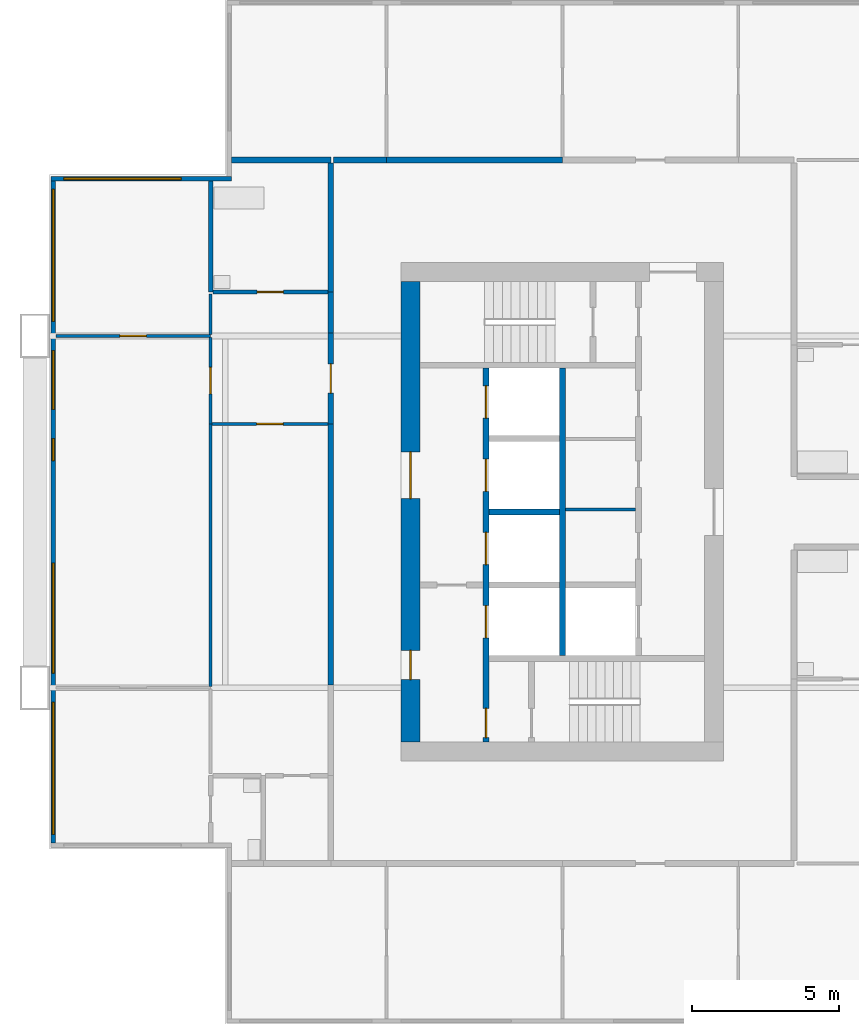
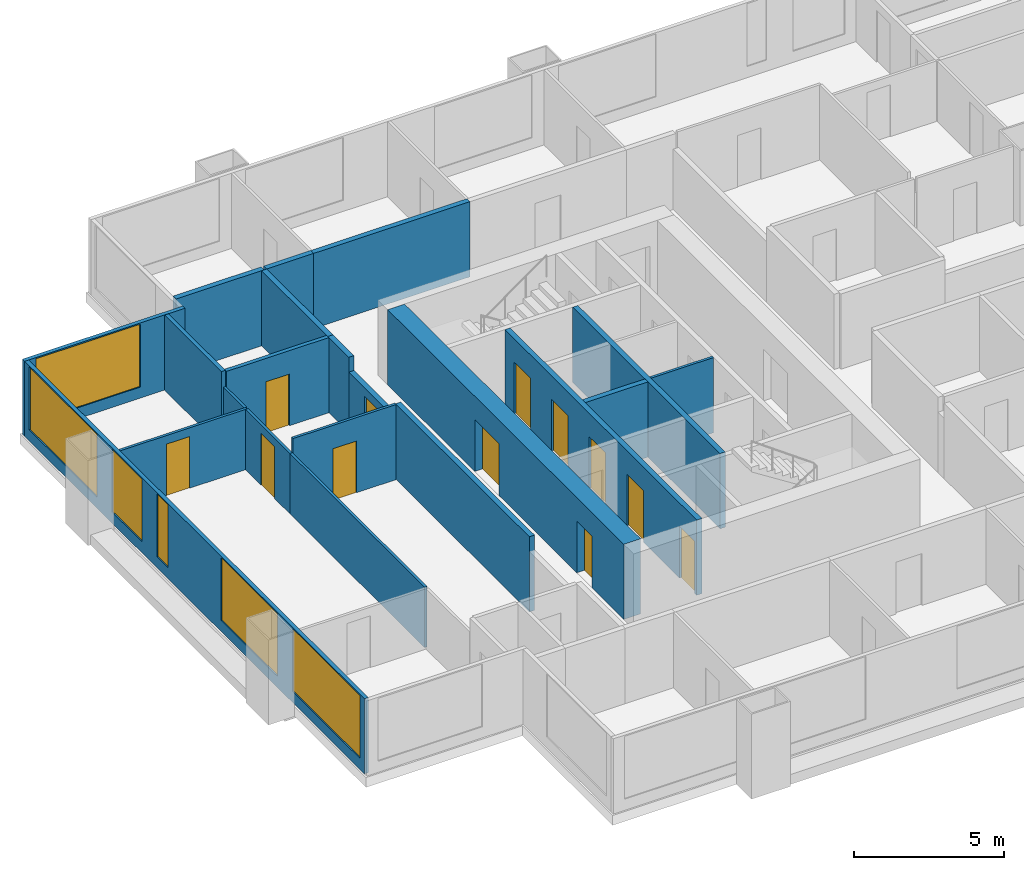
# One storey, part 3 of 11: 21 walls, 12 doors, 6 windows, 18 openings.
"""IFC4 building model written with IfcOpenShell, lengths in metres."""

import ifcopenshell
import ifcopenshell.guid

model = None  # the IFC model being written
_history = None  # IfcOwnerHistory: only IFC2X3 demands one
_inside = {}  # id of a spatial element -> (the spatial element, [elements in it])
_under = {}  # id of a project, library or spatial element -> (it, [spatial elements below it])
_declared = {}  # id of a project -> (the project, [libraries it declares])
_typed = {}  # id of a type object -> (the type object, [elements of that type])
_made_of = {}  # id of a material, layer set ... -> (it, [elements and type objects made of it])


def new_model(schema):
    """Start an empty IFC model of exactly this schema.

    Asked for "IFC4X3", IfcOpenShell would pick the latest addendum, in which some entities
    have other attributes; the version numbers below select the first issue.
    IFC2X3 requires an IfcOwnerHistory on every rooted entity: one is made here for all.
    """
    global model, _history
    if schema == "IFC4X3":
        model = ifcopenshell.file(schema_version=(4, 3, 0, 0))
    else:
        model = ifcopenshell.file(schema=schema)
    _inside.clear()
    _under.clear()
    _declared.clear()
    _typed.clear()
    _made_of.clear()
    _history = None
    if model.schema == "IFC2X3":
        org = make("IfcOrganization", Name="unknown")
        user = make(
            "IfcPersonAndOrganization",
            ThePerson=make("IfcPerson", FamilyName="unknown"),
            TheOrganization=org,
        )
        app = make(
            "IfcApplication",
            ApplicationDeveloper=org,
            Version="unknown",
            ApplicationFullName="unknown",
            ApplicationIdentifier="unknown",
        )
        _history = make(
            "IfcOwnerHistory",
            OwningUser=user,
            OwningApplication=app,
            ChangeAction="ADDED",
            CreationDate=0,
        )
    return model


def make(cls, **values):
    """One entity of the class cls with the attributes given. An attribute that is None is left unset."""
    return model.create_entity(
        cls, **{name: value for name, value in values.items() if value is not None}
    )


def rooted(cls, **values):
    """An entity with a GlobalId (a new one), such as an element, a storey or a relation."""
    return make(cls, GlobalId=ifcopenshell.guid.new(), OwnerHistory=_history, **values)


def si_unit(unit_type, name, prefix=None):
    """IfcSIUnit, for example si_unit("LENGTHUNIT", "METRE", prefix="MILLI")."""
    return make("IfcSIUnit", UnitType=unit_type, Prefix=prefix, Name=name)


def assignment(units):
    """IfcUnitAssignment: the units of a project."""
    return None if units is None else make("IfcUnitAssignment", Units=units)


def point(xyz):
    """IfcCartesianPoint."""
    return None if xyz is None else make("IfcCartesianPoint", Coordinates=xyz)


def direction(xyz):
    """IfcDirection."""
    return None if xyz is None else make("IfcDirection", DirectionRatios=xyz)


def frame(location, z_axis=None, x_axis=None):
    """IfcAxis2Placement3D, a coordinate frame: its origin and axes. An axis left out is left unset."""
    return make(
        "IfcAxis2Placement3D",
        Location=point(location),
        Axis=direction(z_axis),
        RefDirection=direction(x_axis),
    )


def frame_2d(location, x_axis=None):
    """IfcAxis2Placement2D, a coordinate frame in the plane: its origin and x axis."""
    return make(
        "IfcAxis2Placement2D", Location=point(location), RefDirection=direction(x_axis)
    )


def origin():
    """The frame at (0, 0, 0) with its axes left unset."""
    return frame((0.0, 0.0, 0.0))


def place(relative_to, where):
    """IfcLocalPlacement: puts the frame where relative to a parent placement (None: the world)."""
    return make(
        "IfcLocalPlacement", PlacementRelTo=relative_to, RelativePlacement=where
    )


def context(
    kind, dimensions, precision=None, world=None, true_north=None, identifier=None
):
    """IfcGeometricRepresentationContext, for example the 3D "Model" context."""
    return make(
        "IfcGeometricRepresentationContext",
        ContextIdentifier=identifier,
        ContextType=kind,
        CoordinateSpaceDimension=dimensions,
        Precision=precision,
        WorldCoordinateSystem=world,
        TrueNorth=true_north,
    )


def subcontext(parent, identifier, kind, view, scale=None):
    """IfcGeometricRepresentationSubContext, for example "Body" below "Model"."""
    return make(
        "IfcGeometricRepresentationSubContext",
        ContextIdentifier=identifier,
        ContextType=kind,
        ParentContext=parent,
        TargetScale=scale,
        TargetView=view,
    )


def project(units=None, contexts=None):
    """IfcProject with its units and contexts."""
    return rooted(
        "IfcProject",
        Name="project",
        RepresentationContexts=contexts,
        UnitsInContext=assignment(units),
    )


def spatial(cls, under=None, at=None, **own):
    """A site, building, storey or space (cls), placed at a placement, below another one or the project."""
    s = rooted(cls, ObjectPlacement=at, **own)
    if under is not None:
        _under.setdefault(under.id(), (under, []))[1].append(s)
    return s


def profile(cls, at=None, kind="AREA", **sizes):
    """A parametric profile (cls). Its sizes go by their IFC names, for example OverallWidth=200.0."""
    return make(cls, ProfileType=kind, Position=at, **sizes)


def rectangle(**sizes):
    """IfcRectangleProfileDef."""
    return profile("IfcRectangleProfileDef", **sizes)


def extrude(swept, where, along, depth):
    """IfcExtrudedAreaSolid: the profile swept, set in the frame where, extruded along a direction by depth."""
    return make(
        "IfcExtrudedAreaSolid",
        SweptArea=swept,
        Position=where,
        ExtrudedDirection=direction(along),
        Depth=depth,
    )


def shape(context_of_items, identifier, shape_type, items):
    """IfcShapeRepresentation: the items that make up one representation, for example the "Body"."""
    return make(
        "IfcShapeRepresentation",
        ContextOfItems=context_of_items,
        RepresentationIdentifier=identifier,
        RepresentationType=shape_type,
        Items=items,
    )


def material(Name=None, Category=None):
    """IfcMaterial."""
    return make("IfcMaterial", Name=Name, Category=Category)


def layer(
    of_material, thickness, ventilated=None, Name=None, Category=None, Priority=None
):
    """IfcMaterialLayer: one layer of a wall or slab, of a material (None: an air gap)."""
    return make(
        "IfcMaterialLayer",
        Material=of_material,
        LayerThickness=thickness,
        IsVentilated=ventilated,
        Name=Name,
        Category=Category,
        Priority=Priority,
    )


def layer_set(layers, Name=None):
    """IfcMaterialLayerSet."""
    return make("IfcMaterialLayerSet", MaterialLayers=layers, LayerSetName=Name)


def made_of(thing, what):
    """Note that an element or type object is made of a material, layer set ...; save() writes the relation."""
    if what is not None:
        _made_of.setdefault(what.id(), (what, []))[1].append(thing)
    return thing


def type_object(cls, material=None, **own):
    """A type object (cls), such as IfcWallType, which elements share."""
    return made_of(rooted(cls, **own), material)


def element(
    cls,
    number,
    at=None,
    inside=None,
    cuts=None,
    type_object=None,
    material=None,
    context=None,
    identifier="Body",
    shape_type=None,
    held_by="IfcProductDefinitionShape",
    body=None,
    shapes=None,
    **own,
):
    """One element of the class cls, such as IfcWall. Its Tag is "e" and its number.

    at: its placement. inside: the storey or other place that contains it. cuts: it is an
    opening in that element (IfcRelVoidsElement). A single representation is given by context,
    identifier, shape_type and body (its items); several are given by shapes. held_by: the class
    of the entity that holds the representations. save() writes the other relations.
    """
    e = rooted(cls, Tag="e%d" % number, ObjectPlacement=at, **own)
    if body is not None:
        shapes = [shape(context, identifier, shape_type, body)]
    if shapes is not None:
        e.Representation = make(held_by, Representations=shapes)
    if inside is not None:
        _inside.setdefault(inside.id(), (inside, []))[1].append(e)
    if cuts is not None:
        rooted(
            "IfcRelVoidsElement", RelatingBuildingElement=cuts, RelatedOpeningElement=e
        )
    if type_object is not None:
        _typed.setdefault(type_object.id(), (type_object, []))[1].append(e)
    return made_of(e, material)


def fill(opening, filler):
    """IfcRelFillsElement: the door or window that sits in an opening."""
    return rooted(
        "IfcRelFillsElement",
        RelatingOpeningElement=opening,
        RelatedBuildingElement=filler,
    )


def aggregate(whole, parts):
    """IfcRelAggregates: a whole, such as a stair, and the parts it consists of."""
    return rooted("IfcRelAggregates", RelatingObject=whole, RelatedObjects=parts)


def save(model, path):
    """Write the relations noted so far, then the file.

    IfcRelAggregates (storeys below a building ...), IfcRelContainedInSpatialStructure (elements
    in a storey), IfcRelDefinesByType, IfcRelAssociatesMaterial and IfcRelDeclares: one each for
    every whole, place, type object, material and project.
    """
    for whole, parts in _under.values():
        aggregate(whole, parts)
    for where, things in _inside.values():
        rooted(
            "IfcRelContainedInSpatialStructure",
            RelatedElements=things,
            RelatingStructure=where,
        )
    for kind, things in _typed.values():
        rooted("IfcRelDefinesByType", RelatedObjects=things, RelatingType=kind)
    for what, things in _made_of.values():
        rooted("IfcRelAssociatesMaterial", RelatedObjects=things, RelatingMaterial=what)
    for by, libraries in _declared.values():
        rooted("IfcRelDeclares", RelatingContext=by, RelatedDefinitions=libraries)
    model.write(path)


model = new_model("IFC4")

# Units and contexts
model_context = context("Model", 3, precision=1e-05, world=origin(), true_north=direction((0.0, 1.0)))
body_context = subcontext(model_context, "Body", "Model", "MODEL_VIEW")
ifc_project = project(units=[si_unit("LENGTHUNIT", "METRE"), si_unit("AREAUNIT", "SQUARE_METRE"), si_unit("VOLUMEUNIT", "CUBIC_METRE"), si_unit("PLANEANGLEUNIT", "RADIAN"), si_unit("MASSUNIT", "GRAM", prefix="KILO")], contexts=[model_context])

# Site, building, storey
site_placement = place(None, origin())
site = spatial("IfcSite", under=ifc_project, at=site_placement, CompositionType="ELEMENT")
building_placement = place(site_placement, origin())
building = spatial("IfcBuilding", under=site, at=building_placement, Name="Kitamizu Gate Tower and Museum", CompositionType="ELEMENT")
storey_placement = place(building_placement, frame((0.0, 0.0, 120.75)))
storey = spatial("IfcBuildingStorey", under=building, at=storey_placement, Name="L31", CompositionType="ELEMENT", Elevation=120.75)

# Wall, openings, doors
ifc_material_1 = material(Name="Concrete Fc60", Category="concrete")
ifc_layer_1 = layer(ifc_material_1, 0.64990234375)
ifc_layer_set_1 = layer_set([ifc_layer_1], Name="Concrete Fc60")
wall_type_1 = type_object("IfcWallType", Name="Core wall 650", PredefinedType="SHEAR", material=ifc_layer_set_1)
wall_1_placement = place(storey_placement, frame((12.824951171875, 22.14990234375, 0.0), z_axis=(0.0, 0.0, 1.0), x_axis=(0.0, 1.0, 0.0)))
wall_1 = element("IfcWall", 1, at=wall_1_placement, inside=storey, type_object=wall_type_1, Name="Core wall WOUT", PredefinedType="SHEAR", context=body_context, shape_type="SweptSolid", body=[
    extrude(rectangle(XDim=15.7001953125, YDim=0.64990234375, at=frame_2d((7.85009765625, 0.0))), origin(), (0.0, 0.0, 1.0), 3.050048828125),
])
opening_1_placement = place(wall_1_placement, frame((8.300048828125, 0.0, 0.0)))
opening_1 = element("IfcOpeningElement", 2, at=opening_1_placement, cuts=wall_1, Name="Opening L31-053", PredefinedType="OPENING", context=body_context, shape_type="SweptSolid", body=[
    extrude(rectangle(XDim=1.60009765625, YDim=2.10009765625, at=frame_2d((0.800048828125, 1.050048828125))), frame((0.0, 0.3349609375, 0.0), z_axis=(0.0, -1.0, 0.0), x_axis=(1.0, 0.0, 0.0)), (0.0, 0.0, 1.0), 0.669921875),
])
opening_2_placement = place(wall_1_placement, frame((2.125, 0.0, 0.0)))
opening_2 = element("IfcOpeningElement", 3, at=opening_2_placement, cuts=wall_1, Name="Opening L31-054", PredefinedType="OPENING", context=body_context, shape_type="SweptSolid", body=[
    extrude(rectangle(XDim=1.0, YDim=2.10009765625, at=frame_2d((0.5, 1.050048828125))), frame((0.0, 0.3349609375, 0.0), z_axis=(0.0, -1.0, 0.0), x_axis=(1.0, 0.0, 0.0)), (0.0, 0.0, 1.0), 0.669921875),
])
ifc_material_2 = material(Name="Timber door set", Category="wood")
door_type_1 = type_object("IfcDoorType", Name="Entrance door 1600", OperationType="DOUBLE_DOOR_SINGLE_SWING", PredefinedType="DOOR", material=ifc_material_2)
door_1_placement = place(opening_1_placement, origin())
door_1 = element("IfcDoor", 4, at=door_1_placement, inside=storey, type_object=door_type_1, Name="Lobby door L31-053", OperationType="DOUBLE_DOOR_SINGLE_SWING", OverallHeight=2.10009765625, OverallWidth=1.60009765625, PredefinedType="DOOR", context=body_context, shape_type="SweptSolid", body=[
    extrude(rectangle(XDim=1.60009765625, YDim=2.10009765625, at=frame_2d((0.800048828125, 1.050048828125))), frame((0.0, 0.02490234375, 0.0), z_axis=(0.0, -1.0, 0.0), x_axis=(1.0, 0.0, 0.0)), (0.0, 0.0, 1.0), 0.050048828125),
])
fill(opening_1, door_1)
ifc_material_3 = material(Name="Hollow metal door set")
door_type_2 = type_object("IfcDoorType", Name="Fire door 1000", OperationType="NOTDEFINED", PredefinedType="DOOR", material=ifc_material_3)
door_2_placement = place(opening_2_placement, frame((1.0, 0.0, 0.0), x_axis=(-1.0, 0.0, 0.0)))
door_2 = element("IfcDoor", 5, at=door_2_placement, inside=storey, type_object=door_type_2, Name="Fire-fighting lobby door L31-054", OperationType="SINGLE_SWING_LEFT", OverallHeight=2.10009765625, OverallWidth=1.0, PredefinedType="DOOR", context=body_context, shape_type="SweptSolid", body=[
    extrude(rectangle(XDim=1.0, YDim=2.10009765625, at=frame_2d((0.5, 1.050048828125))), frame((0.0, 0.02490234375, 0.0), z_axis=(0.0, -1.0, 0.0), x_axis=(1.0, 0.0, 0.0)), (0.0, 0.0, 1.0), 0.050048828125),
])
fill(opening_2, door_2)

# Wall
ifc_material_4 = material(Name="Gypsum board on galvanised stud")
ifc_layer_2 = layer(ifc_material_4, 0.10009765625)
ifc_layer_set_2 = layer_set([ifc_layer_2], Name="Gypsum board on galvanised stud")
wall_type_2 = type_object("IfcWallType", Name="Partition 100", PredefinedType="PARTITIONING", material=ifc_layer_set_2)
wall_2_placement = place(storey_placement, frame((18.10009765625, 30.08203125, 0.0), z_axis=(0.0, 0.0, 1.0), x_axis=(1.0, 0.0, 0.0)))
element("IfcWall", 6, at=wall_2_placement, inside=storey, type_object=wall_type_2, Name="Partition WPF1", PredefinedType="PARTITIONING", context=body_context, shape_type="SweptSolid", body=[
    extrude(rectangle(XDim=2.39990234375, YDim=0.10009765625, at=frame_2d((1.199951171875, 0.0))), origin(), (0.0, 0.0, 1.0), 3.050048828125),
])

# Wall, opening, door
ifc_material_5 = material(Name="Gypsum board on galvanised stud")
ifc_layer_3 = layer(ifc_material_5, 0.10009765625)
ifc_layer_set_3 = layer_set([ifc_layer_3], Name="Gypsum board on galvanised stud")
wall_type_3 = type_object("IfcWallType", Name="Partition 100 NOT RATED", PredefinedType="PARTITIONING", material=ifc_layer_set_3)
wall_3_placement = place(storey_placement, frame((6.0, 36.0, 0.0), z_axis=(0.0, 0.0, 1.0), x_axis=(-1.0, 0.0, 0.0)))
wall_3 = element("IfcWall", 7, at=wall_3_placement, inside=storey, type_object=wall_type_3, Name="Partition L31-037", PredefinedType="PARTITIONING", context=body_context, shape_type="SweptSolid", body=[
    extrude(rectangle(XDim=5.280029296875, YDim=0.10009765625, at=frame_2d((2.64013671875, 0.0))), origin(), (0.0, 0.0, 1.0), 2.449951171875),
])
opening_3_placement = place(wall_3_placement, frame((2.18994140625, 0.0, 0.0)))
opening_3 = element("IfcOpeningElement", 8, at=opening_3_placement, cuts=wall_3, Name="Opening L31-016", PredefinedType="OPENING", context=body_context, shape_type="SweptSolid", body=[
    extrude(rectangle(XDim=0.89990234375, YDim=2.10009765625, at=frame_2d((0.449951171875, 1.050048828125))), frame((0.0, 0.06005859375, 0.0), z_axis=(0.0, -1.0, 0.0), x_axis=(1.0, 0.0, 0.0)), (0.0, 0.0, 1.0), 0.1201171875),
])
ifc_material_6 = material(Name="Timber door set", Category="wood")
door_type_3 = type_object("IfcDoorType", Name="Room door 900", OperationType="NOTDEFINED", PredefinedType="DOOR", material=ifc_material_6)
door_3_placement = place(opening_3_placement, frame((0.89990234375, 0.0, 0.0), x_axis=(-1.0, 0.0, 0.0)))
door_3 = element("IfcDoor", 9, at=door_3_placement, inside=storey, type_object=door_type_3, Name="Door L31-016", OperationType="SINGLE_SWING_RIGHT", OverallHeight=2.10009765625, OverallWidth=0.89990234375, PredefinedType="DOOR", context=body_context, shape_type="SweptSolid", body=[
    extrude(rectangle(XDim=0.89990234375, YDim=2.10009765625, at=frame_2d((0.449951171875, 1.050048828125))), frame((0.0, 0.02490234375, 0.0), z_axis=(0.0, -1.0, 0.0), x_axis=(1.0, 0.0, 0.0)), (0.0, 0.0, 1.0), 0.050048828125),
])
fill(opening_3, door_3)

# Wall
wall_4_placement = place(storey_placement, frame((6.0, 24.050048828125, 0.0), z_axis=(0.0, 0.0, 1.0), x_axis=(0.0, 1.0, 0.0)))
element("IfcWall", 10, at=wall_4_placement, inside=storey, type_object=wall_type_3, Name="Partition L31-038", PredefinedType="PARTITIONING", context=body_context, shape_type="SweptSolid", body=[
    extrude(rectangle(XDim=8.949951171875, YDim=0.10009765625, at=frame_2d((4.47509765625, 0.0))), origin(), (0.0, 0.0, 1.0), 2.449951171875),
])

# Wall, opening, door
wall_5_placement = place(storey_placement, frame((6.0, 33.0, 0.0), z_axis=(0.0, 0.0, 1.0), x_axis=(0.0, 1.0, 0.0)))
wall_5 = element("IfcWall", 11, at=wall_5_placement, inside=storey, type_object=wall_type_3, Name="Partition L31-039", PredefinedType="PARTITIONING", context=body_context, shape_type="SweptSolid", body=[
    extrude(rectangle(XDim=2.949951171875, YDim=0.10009765625, at=frame_2d((1.47509765625, 0.0))), origin(), (0.0, 0.0, 1.0), 2.449951171875),
])
opening_4_placement = place(wall_5_placement, frame((1.02490234375, 0.0, 0.0)))
opening_4 = element("IfcOpeningElement", 12, at=opening_4_placement, cuts=wall_5, Name="Opening L31-013", PredefinedType="OPENING", context=body_context, shape_type="SweptSolid", body=[
    extrude(rectangle(XDim=0.89990234375, YDim=2.10009765625, at=frame_2d((0.449951171875, 1.050048828125))), frame((0.0, 0.06005859375, 0.0), z_axis=(0.0, -1.0, 0.0), x_axis=(1.0, 0.0, 0.0)), (0.0, 0.0, 1.0), 0.1201171875),
])
door_4_placement = place(opening_4_placement, origin())
door_4 = element("IfcDoor", 13, at=door_4_placement, inside=storey, type_object=door_type_3, Name="Door L31-013", OperationType="SINGLE_SWING_LEFT", OverallHeight=2.10009765625, OverallWidth=0.89990234375, PredefinedType="DOOR", context=body_context, shape_type="SweptSolid", body=[
    extrude(rectangle(XDim=0.89990234375, YDim=2.10009765625, at=frame_2d((0.449951171875, 1.050048828125))), frame((0.0, 0.02490234375, 0.0), z_axis=(0.0, -1.0, 0.0), x_axis=(1.0, 0.0, 0.0)), (0.0, 0.0, 1.0), 0.050048828125),
])
fill(opening_4, door_4)

# Wall
wall_6_placement = place(storey_placement, frame((6.0, 36.050048828125, 0.0), z_axis=(0.0, 0.0, 1.0), x_axis=(0.0, 1.0, 0.0)))
element("IfcWall", 14, at=wall_6_placement, inside=storey, type_object=wall_type_3, Name="Partition L31-040", PredefinedType="PARTITIONING", context=body_context, shape_type="SweptSolid", body=[
    extrude(rectangle(XDim=1.375, YDim=0.10009765625, at=frame_2d((0.6875, 0.0))), origin(), (0.0, 0.0, 1.0), 2.449951171875),
])

# Wall, opening, door
wall_7_placement = place(storey_placement, frame((10.0, 33.0, 0.0), z_axis=(0.0, 0.0, 1.0), x_axis=(-1.0, 0.0, 0.0)))
wall_7 = element("IfcWall", 15, at=wall_7_placement, inside=storey, type_object=wall_type_3, Name="Partition L31-046", PredefinedType="PARTITIONING", context=body_context, shape_type="SweptSolid", body=[
    extrude(rectangle(XDim=3.949951171875, YDim=0.10009765625, at=frame_2d((1.97509765625, 0.0))), origin(), (0.0, 0.0, 1.0), 3.050048828125),
])
opening_5_placement = place(wall_7_placement, frame((1.52490234375, 0.0, 0.0)))
opening_5 = element("IfcOpeningElement", 16, at=opening_5_placement, cuts=wall_7, Name="Opening L31-014", PredefinedType="OPENING", context=body_context, shape_type="SweptSolid", body=[
    extrude(rectangle(XDim=0.89990234375, YDim=2.10009765625, at=frame_2d((0.449951171875, 1.050048828125))), frame((0.0, 0.06005859375, 0.0), z_axis=(0.0, -1.0, 0.0), x_axis=(1.0, 0.0, 0.0)), (0.0, 0.0, 1.0), 0.1201171875),
])
door_5_placement = place(opening_5_placement, frame((0.89990234375, 0.0, 0.0), x_axis=(-1.0, 0.0, 0.0)))
door_5 = element("IfcDoor", 17, at=door_5_placement, inside=storey, type_object=door_type_3, Name="Door L31-014", OperationType="SINGLE_SWING_RIGHT", OverallHeight=2.10009765625, OverallWidth=0.89990234375, PredefinedType="DOOR", context=body_context, shape_type="SweptSolid", body=[
    extrude(rectangle(XDim=0.89990234375, YDim=2.10009765625, at=frame_2d((0.449951171875, 1.050048828125))), frame((0.0, 0.02490234375, 0.0), z_axis=(0.0, -1.0, 0.0), x_axis=(1.0, 0.0, 0.0)), (0.0, 0.0, 1.0), 0.050048828125),
])
fill(opening_5, door_5)

# Wall
ifc_material_7 = material(Name="Gypsum board on galvanised stud")
ifc_layer_4 = layer(ifc_material_7, 0.14990234375)
ifc_layer_set_4 = layer_set([ifc_layer_4], Name="Gypsum board on galvanised stud")
wall_type_4 = type_object("IfcWallType", Name="Partition 150", PredefinedType="PARTITIONING", material=ifc_layer_set_4)
wall_8_placement = place(storey_placement, frame((6.0, 37.5, 0.0), z_axis=(0.0, 0.0, 1.0), x_axis=(0.0, 1.0, 0.0)))
element("IfcWall", 18, at=wall_8_placement, inside=storey, type_object=wall_type_4, Name="Partition L31-041", PredefinedType="PARTITIONING", context=body_context, shape_type="SweptSolid", body=[
    extrude(rectangle(XDim=3.780029296875, YDim=0.14990234375, at=frame_2d((1.89013671875, 0.0))), origin(), (0.0, 0.0, 1.0), 3.050048828125),
])

# Wall, opening, door
wall_9_placement = place(storey_placement, frame((10.0, 37.5, 0.0), z_axis=(0.0, 0.0, 1.0), x_axis=(-1.0, 0.0, 0.0)))
wall_9 = element("IfcWall", 19, at=wall_9_placement, inside=storey, type_object=wall_type_4, Name="Partition L31-049", PredefinedType="PARTITIONING", context=body_context, shape_type="SweptSolid", body=[
    extrude(rectangle(XDim=3.925048828125, YDim=0.14990234375, at=frame_2d((1.96240234375, 0.0))), origin(), (0.0, 0.0, 1.0), 3.050048828125),
])
opening_6_placement = place(wall_9_placement, frame((1.512451171875, 0.0, 0.0)))
opening_6 = element("IfcOpeningElement", 20, at=opening_6_placement, cuts=wall_9, Name="Opening L31-019", PredefinedType="OPENING", context=body_context, shape_type="SweptSolid", body=[
    extrude(rectangle(XDim=0.89990234375, YDim=2.10009765625, at=frame_2d((0.449951171875, 1.050048828125))), frame((0.0, 0.0849609375, 0.0), z_axis=(0.0, -1.0, 0.0), x_axis=(1.0, 0.0, 0.0)), (0.0, 0.0, 1.0), 0.169921875),
])
ifc_material_8 = material(Name="Timber door set", Category="wood")
door_type_4 = type_object("IfcDoorType", Name="Bathroom door 900", OperationType="NOTDEFINED", PredefinedType="DOOR", material=ifc_material_8)
door_6_placement = place(opening_6_placement, frame((0.89990234375, 0.0, 0.0), x_axis=(-1.0, 0.0, 0.0)))
door_6 = element("IfcDoor", 21, at=door_6_placement, inside=storey, type_object=door_type_4, Name="Bathroom door L31-019", OperationType="SINGLE_SWING_LEFT", OverallHeight=2.10009765625, OverallWidth=0.89990234375, PredefinedType="DOOR", context=body_context, shape_type="SweptSolid", body=[
    extrude(rectangle(XDim=0.89990234375, YDim=2.10009765625, at=frame_2d((0.449951171875, 1.050048828125))), frame((0.0, 0.02490234375, 0.0), z_axis=(0.0, -1.0, 0.0), x_axis=(1.0, 0.0, 0.0)), (0.0, 0.0, 1.0), 0.050048828125),
])
fill(opening_6, door_6)

# Wall
ifc_material_9 = material(Name="Gypsum board on galvanised stud")
ifc_layer_5 = layer(ifc_material_9, 0.199951171875)
ifc_layer_set_5 = layer_set([ifc_layer_5], Name="Gypsum board on galvanised stud")
wall_type_5 = type_object("IfcWallType", Name="Partition 200", PredefinedType="PARTITIONING", material=ifc_layer_set_5)
wall_10_placement = place(storey_placement, frame((10.10009765625, 24.10009765625, 0.0), z_axis=(0.0, 0.0, 1.0), x_axis=(0.0, 1.0, 0.0)))
element("IfcWall", 22, at=wall_10_placement, inside=storey, type_object=wall_type_5, Name="Partition L31-048", PredefinedType="PARTITIONING", context=body_context, shape_type="SweptSolid", body=[
    extrude(rectangle(XDim=8.89990234375, YDim=0.199951171875, at=frame_2d((4.449951171875, 0.0))), origin(), (0.0, 0.0, 1.0), 3.050048828125),
])

# Wall, opening, door
wall_11_placement = place(storey_placement, frame((10.10009765625, 33.0, 0.0), z_axis=(0.0, 0.0, 1.0), x_axis=(0.0, 1.0, 0.0)))
wall_11 = element("IfcWall", 23, at=wall_11_placement, inside=storey, type_object=wall_type_5, Name="Partition L31-050", PredefinedType="PARTITIONING", context=body_context, shape_type="SweptSolid", body=[
    extrude(rectangle(XDim=3.10009765625, YDim=0.199951171875, at=frame_2d((1.550048828125, 0.0))), origin(), (0.0, 0.0, 1.0), 2.449951171875),
])
opening_7_placement = place(wall_11_placement, frame((1.050048828125, 0.0, 0.0)))
opening_7 = element("IfcOpeningElement", 24, at=opening_7_placement, cuts=wall_11, Name="Opening L31-012", PredefinedType="OPENING", context=body_context, shape_type="SweptSolid", body=[
    extrude(rectangle(XDim=1.0, YDim=2.10009765625, at=frame_2d((0.5, 1.050048828125))), frame((0.0, 0.10986328125, 0.0), z_axis=(0.0, -1.0, 0.0), x_axis=(1.0, 0.0, 0.0)), (0.0, 0.0, 1.0), 0.219970703125),
])
ifc_material_10 = material(Name="Timber door set", Category="wood")
door_type_5 = type_object("IfcDoorType", Name="Flat entrance door 1000", OperationType="NOTDEFINED", PredefinedType="DOOR", material=ifc_material_10)
door_7_placement = place(opening_7_placement, origin())
door_7 = element("IfcDoor", 25, at=door_7_placement, inside=storey, type_object=door_type_5, Name="Flat entrance door L31-012", OperationType="SINGLE_SWING_RIGHT", OverallHeight=2.10009765625, OverallWidth=1.0, PredefinedType="DOOR", context=body_context, shape_type="SweptSolid", body=[
    extrude(rectangle(XDim=1.0, YDim=2.10009765625, at=frame_2d((0.5, 1.050048828125))), frame((0.0, 0.02490234375, 0.0), z_axis=(0.0, -1.0, 0.0), x_axis=(1.0, 0.0, 0.0)), (0.0, 0.0, 1.0), 0.050048828125),
])
fill(opening_7, door_7)

# Walls
wall_12_placement = place(storey_placement, frame((10.10009765625, 36.10009765625, 0.0), z_axis=(0.0, 0.0, 1.0), x_axis=(0.0, 1.0, 0.0)))
element("IfcWall", 26, at=wall_12_placement, inside=storey, type_object=wall_type_5, Name="Partition L31-051", PredefinedType="PARTITIONING", context=body_context, shape_type="SweptSolid", body=[
    extrude(rectangle(XDim=1.39990234375, YDim=0.199951171875, at=frame_2d((0.699951171875, 0.0))), origin(), (0.0, 0.0, 1.0), 3.050048828125),
])
wall_13_placement = place(storey_placement, frame((10.10009765625, 42.0, 0.0), z_axis=(0.0, 0.0, 1.0), x_axis=(-1.0, 0.0, 0.0)))
element("IfcWall", 27, at=wall_13_placement, inside=storey, type_object=wall_type_5, Name="Partition L31-052", PredefinedType="PARTITIONING", context=body_context, shape_type="SweptSolid", body=[
    extrude(rectangle(XDim=3.380126953125, YDim=0.199951171875, at=frame_2d((1.68994140625, 0.0))), origin(), (0.0, 0.0, 1.0), 3.050048828125),
])
wall_14_placement = place(storey_placement, frame((10.10009765625, 37.5, 0.0), z_axis=(0.0, 0.0, 1.0), x_axis=(0.0, 1.0, 0.0)))
element("IfcWall", 28, at=wall_14_placement, inside=storey, type_object=wall_type_5, Name="Partition L31-053", PredefinedType="PARTITIONING", context=body_context, shape_type="SweptSolid", body=[
    extrude(rectangle(XDim=4.39990234375, YDim=0.199951171875, at=frame_2d((2.199951171875, 0.0))), origin(), (0.0, 0.0, 1.0), 3.050048828125),
])
wall_15_placement = place(storey_placement, frame((10.199951171875, 42.0, 0.0), z_axis=(0.0, 0.0, 1.0), x_axis=(1.0, 0.0, 0.0)))
element("IfcWall", 29, at=wall_15_placement, inside=storey, type_object=wall_type_5, Name="Partition L31-055", PredefinedType="PARTITIONING", context=body_context, shape_type="SweptSolid", body=[
    extrude(rectangle(XDim=1.800048828125, YDim=0.199951171875, at=frame_2d((0.89990234375, 0.0))), origin(), (0.0, 0.0, 1.0), 3.050048828125),
])
wall_16_placement = place(storey_placement, frame((12.0, 42.0, 0.0), z_axis=(0.0, 0.0, 1.0), x_axis=(1.0, 0.0, 0.0)))
element("IfcWall", 30, at=wall_16_placement, inside=storey, type_object=wall_type_5, Name="Partition L31-057", PredefinedType="PARTITIONING", context=body_context, shape_type="SweptSolid", body=[
    extrude(rectangle(XDim=6.0, YDim=0.199951171875, at=frame_2d((3.0, 0.0))), origin(), (0.0, 0.0, 1.0), 3.050048828125),
])

# Wall, openings, doors
ifc_material_11 = material(Name="Concrete Fc42", Category="concrete")
ifc_layer_6 = layer(ifc_material_11, 0.199951171875)
ifc_layer_set_6 = layer_set([ifc_layer_6], Name="Concrete Fc42")
wall_type_6 = type_object("IfcWallType", Name="Shaft wall 200", PredefinedType="SOLIDWALL", material=ifc_layer_set_6)
wall_17_placement = place(storey_placement, frame((15.39990234375, 22.14990234375, 0.0), z_axis=(0.0, 0.0, 1.0), x_axis=(0.0, 1.0, 0.0)))
wall_17 = element("IfcWall", 31, at=wall_17_placement, inside=storey, type_object=wall_type_6, Name="Shaft wall WWEST", PredefinedType="SOLIDWALL", context=body_context, shape_type="SweptSolid", body=[
    extrude(rectangle(XDim=12.75, YDim=0.199951171875, at=frame_2d((6.375, 0.0))), origin(), (0.0, 0.0, 1.0), 3.050048828125),
])
opening_8_placement = place(wall_17_placement, frame((3.550048828125, 0.0, 0.0)))
opening_8 = element("IfcOpeningElement", 32, at=opening_8_placement, cuts=wall_17, Name="Opening LD", PredefinedType="OPENING", context=body_context, shape_type="SweptSolid", body=[
    extrude(rectangle(XDim=1.10009765625, YDim=2.10009765625, at=frame_2d((0.550048828125, 1.050048828125))), frame((0.0, 0.10986328125, 0.0), z_axis=(0.0, -1.0, 0.0), x_axis=(1.0, 0.0, 0.0)), (0.0, 0.0, 1.0), 0.219970703125),
])
opening_9_placement = place(wall_17_placement, frame((6.050048828125, 0.0, 0.0)))
opening_9 = element("IfcOpeningElement", 33, at=opening_9_placement, cuts=wall_17, Name="Opening LD", PredefinedType="OPENING", context=body_context, shape_type="SweptSolid", body=[
    extrude(rectangle(XDim=1.10009765625, YDim=2.10009765625, at=frame_2d((0.550048828125, 1.050048828125))), frame((0.0, 0.10986328125, 0.0), z_axis=(0.0, -1.0, 0.0), x_axis=(1.0, 0.0, 0.0)), (0.0, 0.0, 1.0), 0.219970703125),
])
opening_10_placement = place(wall_17_placement, frame((8.550048828125, 0.0, 0.0)))
opening_10 = element("IfcOpeningElement", 34, at=opening_10_placement, cuts=wall_17, Name="Opening LD", PredefinedType="OPENING", context=body_context, shape_type="SweptSolid", body=[
    extrude(rectangle(XDim=1.10009765625, YDim=2.10009765625, at=frame_2d((0.550048828125, 1.050048828125))), frame((0.0, 0.10986328125, 0.0), z_axis=(0.0, -1.0, 0.0), x_axis=(1.0, 0.0, 0.0)), (0.0, 0.0, 1.0), 0.219970703125),
])
opening_11_placement = place(wall_17_placement, frame((11.050048828125, 0.0, 0.0)))
opening_11 = element("IfcOpeningElement", 35, at=opening_11_placement, cuts=wall_17, Name="Opening LD", PredefinedType="OPENING", context=body_context, shape_type="SweptSolid", body=[
    extrude(rectangle(XDim=1.10009765625, YDim=2.10009765625, at=frame_2d((0.550048828125, 1.050048828125))), frame((0.0, 0.10986328125, 0.0), z_axis=(0.0, -1.0, 0.0), x_axis=(1.0, 0.0, 0.0)), (0.0, 0.0, 1.0), 0.219970703125),
])
opening_12_placement = place(wall_17_placement, frame((0.14990234375, 0.0, 0.0)))
opening_12 = element("IfcOpeningElement", 36, at=opening_12_placement, cuts=wall_17, Name="Opening L31-049", PredefinedType="OPENING", context=body_context, shape_type="SweptSolid", body=[
    extrude(rectangle(XDim=1.0, YDim=2.10009765625, at=frame_2d((0.5, 1.050048828125))), frame((0.0, 0.10986328125, 0.0), z_axis=(0.0, -1.0, 0.0), x_axis=(1.0, 0.0, 0.0)), (0.0, 0.0, 1.0), 0.219970703125),
])
door_8_placement = place(opening_12_placement, frame((1.0, 0.0, 0.0), x_axis=(-1.0, 0.0, 0.0)))
door_8 = element("IfcDoor", 37, at=door_8_placement, inside=storey, type_object=door_type_2, Name="Stair lobby door L31-049", OperationType="SINGLE_SWING_LEFT", OverallHeight=2.10009765625, OverallWidth=1.0, PredefinedType="DOOR", context=body_context, shape_type="SweptSolid", body=[
    extrude(rectangle(XDim=1.0, YDim=2.10009765625, at=frame_2d((0.5, 1.050048828125))), frame((0.0, 0.02490234375, 0.0), z_axis=(0.0, -1.0, 0.0), x_axis=(1.0, 0.0, 0.0)), (0.0, 0.0, 1.0), 0.050048828125),
])
fill(opening_12, door_8)
ifc_material_12 = material(Name="Hollow metal door set")
door_type_6 = type_object("IfcDoorType", Name="Landing door 1100", OperationType="SLIDING_TO_LEFT", PredefinedType="DOOR", material=ifc_material_12)
door_9_placement = place(opening_8_placement, origin())
door_9 = element("IfcDoor", 38, at=door_9_placement, inside=storey, type_object=door_type_6, Name="Landing door WFF1", OperationType="SLIDING_TO_LEFT", OverallHeight=2.10009765625, OverallWidth=1.10009765625, PredefinedType="DOOR", context=body_context, shape_type="SweptSolid", body=[
    extrude(rectangle(XDim=1.10009765625, YDim=2.10009765625, at=frame_2d((0.550048828125, 1.050048828125))), frame((0.0, 0.02490234375, 0.0), z_axis=(0.0, -1.0, 0.0), x_axis=(1.0, 0.0, 0.0)), (0.0, 0.0, 1.0), 0.050048828125),
])
fill(opening_8, door_9)
door_10_placement = place(opening_9_placement, origin())
door_10 = element("IfcDoor", 39, at=door_10_placement, inside=storey, type_object=door_type_6, Name="Landing door WL1", OperationType="SLIDING_TO_LEFT", OverallHeight=2.10009765625, OverallWidth=1.10009765625, PredefinedType="DOOR", context=body_context, shape_type="SweptSolid", body=[
    extrude(rectangle(XDim=1.10009765625, YDim=2.10009765625, at=frame_2d((0.550048828125, 1.050048828125))), frame((0.0, 0.02490234375, 0.0), z_axis=(0.0, -1.0, 0.0), x_axis=(1.0, 0.0, 0.0)), (0.0, 0.0, 1.0), 0.050048828125),
])
fill(opening_9, door_10)
door_11_placement = place(opening_10_placement, origin())
door_11 = element("IfcDoor", 40, at=door_11_placement, inside=storey, type_object=door_type_6, Name="Landing door WL2", OperationType="SLIDING_TO_LEFT", OverallHeight=2.10009765625, OverallWidth=1.10009765625, PredefinedType="DOOR", context=body_context, shape_type="SweptSolid", body=[
    extrude(rectangle(XDim=1.10009765625, YDim=2.10009765625, at=frame_2d((0.550048828125, 1.050048828125))), frame((0.0, 0.02490234375, 0.0), z_axis=(0.0, -1.0, 0.0), x_axis=(1.0, 0.0, 0.0)), (0.0, 0.0, 1.0), 0.050048828125),
])
fill(opening_10, door_11)
door_12_placement = place(opening_11_placement, origin())
door_12 = element("IfcDoor", 41, at=door_12_placement, inside=storey, type_object=door_type_6, Name="Landing door WL3", OperationType="SLIDING_TO_LEFT", OverallHeight=2.10009765625, OverallWidth=1.10009765625, PredefinedType="DOOR", context=body_context, shape_type="SweptSolid", body=[
    extrude(rectangle(XDim=1.10009765625, YDim=2.10009765625, at=frame_2d((0.550048828125, 1.050048828125))), frame((0.0, 0.02490234375, 0.0), z_axis=(0.0, -1.0, 0.0), x_axis=(1.0, 0.0, 0.0)), (0.0, 0.0, 1.0), 0.050048828125),
])
fill(opening_11, door_12)

# Walls
wall_18_placement = place(storey_placement, frame((18.0, 25.10009765625, 0.0), z_axis=(0.0, 0.0, 1.0), x_axis=(0.0, 1.0, 0.0)))
element("IfcWall", 42, at=wall_18_placement, inside=storey, type_object=wall_type_6, Name="Shaft wall WMID", PredefinedType="SOLIDWALL", context=body_context, shape_type="SweptSolid", body=[
    extrude(rectangle(XDim=9.7998046875, YDim=0.199951171875, at=frame_2d((4.89990234375, 0.0))), origin(), (0.0, 0.0, 1.0), 3.050048828125),
])
wall_19_placement = place(storey_placement, frame((15.5, 30.0, 0.0), z_axis=(0.0, 0.0, 1.0), x_axis=(1.0, 0.0, 0.0)))
element("IfcWall", 43, at=wall_19_placement, inside=storey, type_object=wall_type_6, Name="Shaft wall WDVW1", PredefinedType="SOLIDWALL", context=body_context, shape_type="SweptSolid", body=[
    extrude(rectangle(XDim=2.39990234375, YDim=0.199951171875, at=frame_2d((1.199951171875, 0.0))), origin(), (0.0, 0.0, 1.0), 3.050048828125),
])

# Wall, opening, window
ifc_material_13 = material(Name="Bronze anodised aluminium frame with insulated spandrel and tinted glass", Category="aluminium")
ifc_layer_7 = layer(ifc_material_13, 0.14990234375)
ifc_layer_set_7 = layer_set([ifc_layer_7], Name="Bronze anodised aluminium frame with insulated spandrel and tinted glass")
wall_type_7 = type_object("IfcWallType", Name="WINDOW WALL 150 BRONZE FRAME EI 30", PredefinedType="ELEMENTEDWALL", material=ifc_layer_set_7)
wall_20_placement = place(storey_placement, frame((0.56005859375, 41.364990234375, 0.0), z_axis=(0.0, 0.0, 1.0), x_axis=(1.0, 0.0, 0.0)))
wall_20 = element("IfcWall", 44, at=wall_20_placement, inside=storey, type_object=wall_type_7, Name="Window wall north L31", PredefinedType="ELEMENTEDWALL", context=body_context, shape_type="SweptSolid", body=[
    extrude(rectangle(XDim=6.14990234375, YDim=0.14990234375, at=frame_2d((3.074951171875, 0.0))), origin(), (0.0, 0.0, 1.0), 3.050048828125),
])
opening_13_placement = place(wall_20_placement, frame((0.43994140625, 0.0, 0.449951171875)))
opening_13 = element("IfcOpeningElement", 45, at=opening_13_placement, cuts=wall_20, Name="Opening W16", PredefinedType="OPENING", context=body_context, shape_type="SweptSolid", body=[
    extrude(rectangle(XDim=4.0, YDim=2.550048828125, at=frame_2d((2.0, 1.27490234375))), frame((0.0, 0.0849609375, 0.0), z_axis=(0.0, -1.0, 0.0), x_axis=(1.0, 0.0, 0.0)), (0.0, 0.0, 1.0), 0.169921875),
])
ifc_material_14 = material(Name="Bronze anodised aluminium frame, tinted triple glazing", Category="aluminium")
window_type_1 = type_object("IfcWindowType", Name="WINDOW 4000 x 2550 SILL 450", PartitioningType="SINGLE_PANEL", PredefinedType="WINDOW", material=ifc_material_14)
window_1_placement = place(opening_13_placement, origin())
window_1 = element("IfcWindow", 46, at=window_1_placement, inside=storey, type_object=window_type_1, Name="Window W16 L31", OverallHeight=2.550048828125, OverallWidth=4.0, PartitioningType="SINGLE_PANEL", PredefinedType="WINDOW", context=body_context, shape_type="SweptSolid", body=[
    extrude(rectangle(XDim=4.0, YDim=2.550048828125, at=frame_2d((2.0, 1.27490234375))), frame((0.0, 0.030029296875, 0.0), z_axis=(0.0, -1.0, 0.0), x_axis=(1.0, 0.0, 0.0)), (0.0, 0.0, 1.0), 0.06005859375),
])
fill(opening_13, window_1)

# Wall, openings, windows
wall_21_placement = place(storey_placement, frame((0.635009765625, 18.7099609375, 0.0), z_axis=(0.0, 0.0, 1.0), x_axis=(0.0, 1.0, 0.0)))
wall_21 = element("IfcWall", 47, at=wall_21_placement, inside=storey, type_object=wall_type_7, Name="Window wall west L31", PredefinedType="ELEMENTEDWALL", context=body_context, shape_type="SweptSolid", body=[
    extrude(rectangle(XDim=22.580078125, YDim=0.14990234375, at=frame_2d((11.2900390625, 0.0))), origin(), (0.0, 0.0, 1.0), 3.050048828125),
])
opening_14_placement = place(wall_21_placement, frame((0.2900390625, 0.0, 0.449951171875)))
opening_14 = element("IfcOpeningElement", 48, at=opening_14_placement, cuts=wall_21, Name="Opening W15", PredefinedType="OPENING", context=body_context, shape_type="SweptSolid", body=[
    extrude(rectangle(XDim=4.5, YDim=2.550048828125, at=frame_2d((2.25, 1.27490234375))), frame((0.0, 0.0849609375, 0.0), z_axis=(0.0, -1.0, 0.0), x_axis=(1.0, 0.0, 0.0)), (0.0, 0.0, 1.0), 0.169921875),
])
opening_15_placement = place(wall_21_placement, frame((5.7900390625, 0.0, 0.449951171875)))
opening_15 = element("IfcOpeningElement", 49, at=opening_15_placement, cuts=wall_21, Name="Opening W36", PredefinedType="OPENING", context=body_context, shape_type="SweptSolid", body=[
    extrude(rectangle(XDim=3.75, YDim=2.550048828125, at=frame_2d((1.875, 1.27490234375))), frame((0.0, 0.0849609375, 0.0), z_axis=(0.0, -1.0, 0.0), x_axis=(1.0, 0.0, 0.0)), (0.0, 0.0, 1.0), 0.169921875),
])
opening_16_placement = place(wall_21_placement, frame((13.0400390625, 0.0, 0.449951171875)))
opening_16 = element("IfcOpeningElement", 50, at=opening_16_placement, cuts=wall_21, Name="Opening W25", PredefinedType="OPENING", context=body_context, shape_type="SweptSolid", body=[
    extrude(rectangle(XDim=0.75, YDim=2.550048828125, at=frame_2d((0.375, 1.27490234375))), frame((0.0, 0.0849609375, 0.0), z_axis=(0.0, -1.0, 0.0), x_axis=(1.0, 0.0, 0.0)), (0.0, 0.0, 1.0), 0.169921875),
])
opening_17_placement = place(wall_21_placement, frame((14.7900390625, 0.0, 0.449951171875)))
opening_17 = element("IfcOpeningElement", 51, at=opening_17_placement, cuts=wall_21, Name="Opening W2", PredefinedType="OPENING", context=body_context, shape_type="SweptSolid", body=[
    extrude(rectangle(XDim=2.0, YDim=2.550048828125, at=frame_2d((1.0, 1.27490234375))), frame((0.0, 0.0849609375, 0.0), z_axis=(0.0, -1.0, 0.0), x_axis=(1.0, 0.0, 0.0)), (0.0, 0.0, 1.0), 0.169921875),
])
opening_18_placement = place(wall_21_placement, frame((17.7900390625, 0.0, 0.449951171875)))
opening_18 = element("IfcOpeningElement", 52, at=opening_18_placement, cuts=wall_21, Name="Opening W15", PredefinedType="OPENING", context=body_context, shape_type="SweptSolid", body=[
    extrude(rectangle(XDim=4.5, YDim=2.550048828125, at=frame_2d((2.25, 1.27490234375))), frame((0.0, 0.0849609375, 0.0), z_axis=(0.0, -1.0, 0.0), x_axis=(1.0, 0.0, 0.0)), (0.0, 0.0, 1.0), 0.169921875),
])
ifc_material_15 = material(Name="Bronze anodised aluminium frame, tinted triple glazing", Category="aluminium")
window_type_2 = type_object("IfcWindowType", Name="WINDOW 2000 x 2550 SILL 450", PartitioningType="SINGLE_PANEL", PredefinedType="WINDOW", material=ifc_material_15)
window_2_placement = place(opening_17_placement, origin())
window_2 = element("IfcWindow", 53, at=window_2_placement, inside=storey, type_object=window_type_2, Name="Window W2 L31", OverallHeight=2.550048828125, OverallWidth=2.0, PartitioningType="SINGLE_PANEL", PredefinedType="WINDOW", context=body_context, shape_type="SweptSolid", body=[
    extrude(rectangle(XDim=2.0, YDim=2.550048828125, at=frame_2d((1.0, 1.27490234375))), frame((0.0, 0.030029296875, 0.0), z_axis=(0.0, -1.0, 0.0), x_axis=(1.0, 0.0, 0.0)), (0.0, 0.0, 1.0), 0.06005859375),
])
fill(opening_17, window_2)
ifc_material_16 = material(Name="Bronze anodised aluminium frame, tinted triple glazing", Category="aluminium")
window_type_3 = type_object("IfcWindowType", Name="WINDOW 3750 x 2550 SILL 450", PartitioningType="SINGLE_PANEL", PredefinedType="WINDOW", material=ifc_material_16)
window_3_placement = place(opening_15_placement, origin())
window_3 = element("IfcWindow", 54, at=window_3_placement, inside=storey, type_object=window_type_3, Name="Window W36 L31", OverallHeight=2.550048828125, OverallWidth=3.75, PartitioningType="SINGLE_PANEL", PredefinedType="WINDOW", context=body_context, shape_type="SweptSolid", body=[
    extrude(rectangle(XDim=3.75, YDim=2.550048828125, at=frame_2d((1.875, 1.27490234375))), frame((0.0, 0.030029296875, 0.0), z_axis=(0.0, -1.0, 0.0), x_axis=(1.0, 0.0, 0.0)), (0.0, 0.0, 1.0), 0.06005859375),
])
fill(opening_15, window_3)
ifc_material_17 = material(Name="Bronze anodised aluminium frame, tinted triple glazing", Category="aluminium")
window_type_4 = type_object("IfcWindowType", Name="WINDOW 4500 x 2550 SILL 450", PartitioningType="SINGLE_PANEL", PredefinedType="WINDOW", material=ifc_material_17)
window_4_placement = place(opening_14_placement, origin())
window_4 = element("IfcWindow", 55, at=window_4_placement, inside=storey, type_object=window_type_4, Name="Window W15 L31", OverallHeight=2.550048828125, OverallWidth=4.5, PartitioningType="SINGLE_PANEL", PredefinedType="WINDOW", context=body_context, shape_type="SweptSolid", body=[
    extrude(rectangle(XDim=4.5, YDim=2.550048828125, at=frame_2d((2.25, 1.27490234375))), frame((0.0, 0.030029296875, 0.0), z_axis=(0.0, -1.0, 0.0), x_axis=(1.0, 0.0, 0.0)), (0.0, 0.0, 1.0), 0.06005859375),
])
fill(opening_14, window_4)
window_5_placement = place(opening_18_placement, origin())
window_5 = element("IfcWindow", 56, at=window_5_placement, inside=storey, type_object=window_type_4, Name="Window W15 L31", OverallHeight=2.550048828125, OverallWidth=4.5, PartitioningType="SINGLE_PANEL", PredefinedType="WINDOW", context=body_context, shape_type="SweptSolid", body=[
    extrude(rectangle(XDim=4.5, YDim=2.550048828125, at=frame_2d((2.25, 1.27490234375))), frame((0.0, 0.030029296875, 0.0), z_axis=(0.0, -1.0, 0.0), x_axis=(1.0, 0.0, 0.0)), (0.0, 0.0, 1.0), 0.06005859375),
])
fill(opening_18, window_5)
ifc_material_18 = material(Name="Bronze anodised aluminium frame, tinted triple glazing", Category="aluminium")
window_type_5 = type_object("IfcWindowType", Name="WINDOW 750 x 2550 SILL 450", PartitioningType="SINGLE_PANEL", PredefinedType="WINDOW", material=ifc_material_18)
window_6_placement = place(opening_16_placement, origin())
window_6 = element("IfcWindow", 57, at=window_6_placement, inside=storey, type_object=window_type_5, Name="Window W25 L31", OverallHeight=2.550048828125, OverallWidth=0.75, PartitioningType="SINGLE_PANEL", PredefinedType="WINDOW", context=body_context, shape_type="SweptSolid", body=[
    extrude(rectangle(XDim=0.75, YDim=2.550048828125, at=frame_2d((0.375, 1.27490234375))), frame((0.0, 0.030029296875, 0.0), z_axis=(0.0, -1.0, 0.0), x_axis=(1.0, 0.0, 0.0)), (0.0, 0.0, 1.0), 0.06005859375),
])
fill(opening_16, window_6)

save(model, "model.ifc")
